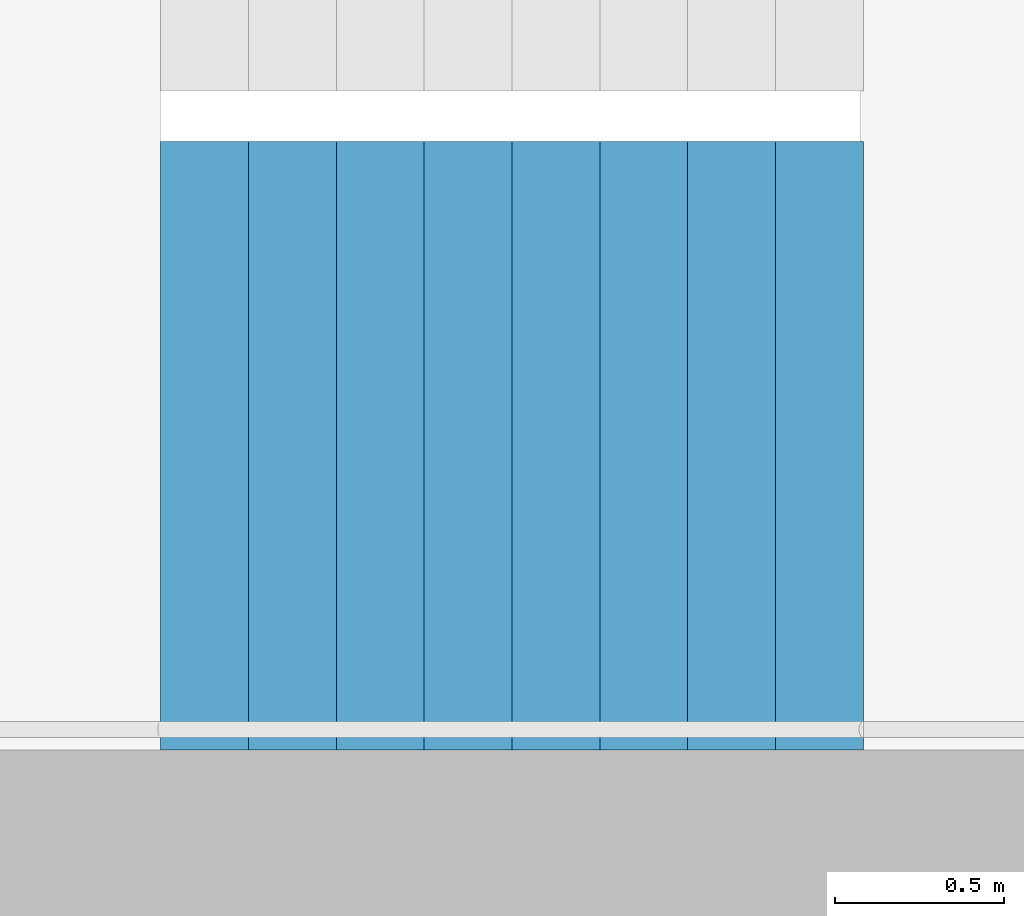
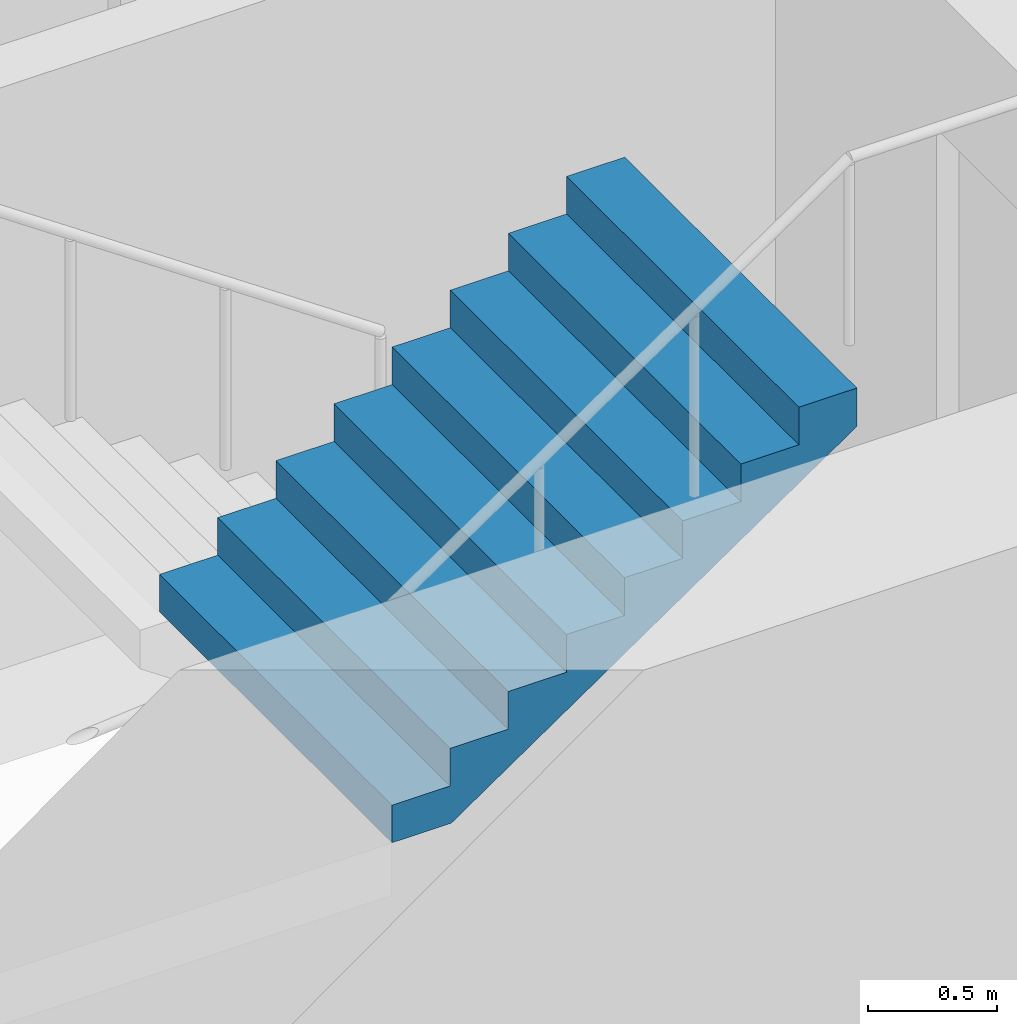
# One storey, part 19 of 32: 1 stair flight, 1 element without a shape of its own.
"""IFC4 building model written with IfcOpenShell, lengths in metres."""

import ifcopenshell
import ifcopenshell.guid

model = None  # the IFC model being written
_history = None  # IfcOwnerHistory: only IFC2X3 demands one
_inside = {}  # id of a spatial element -> (the spatial element, [elements in it])
_under = {}  # id of a project, library or spatial element -> (it, [spatial elements below it])
_declared = {}  # id of a project -> (the project, [libraries it declares])
_typed = {}  # id of a type object -> (the type object, [elements of that type])
_made_of = {}  # id of a material, layer set ... -> (it, [elements and type objects made of it])


def new_model(schema):
    """Start an empty IFC model of exactly this schema.

    Asked for "IFC4X3", IfcOpenShell would pick the latest addendum, in which some entities
    have other attributes; the version numbers below select the first issue.
    IFC2X3 requires an IfcOwnerHistory on every rooted entity: one is made here for all.
    """
    global model, _history
    if schema == "IFC4X3":
        model = ifcopenshell.file(schema_version=(4, 3, 0, 0))
    else:
        model = ifcopenshell.file(schema=schema)
    _inside.clear()
    _under.clear()
    _declared.clear()
    _typed.clear()
    _made_of.clear()
    _history = None
    if model.schema == "IFC2X3":
        org = make("IfcOrganization", Name="unknown")
        user = make(
            "IfcPersonAndOrganization",
            ThePerson=make("IfcPerson", FamilyName="unknown"),
            TheOrganization=org,
        )
        app = make(
            "IfcApplication",
            ApplicationDeveloper=org,
            Version="unknown",
            ApplicationFullName="unknown",
            ApplicationIdentifier="unknown",
        )
        _history = make(
            "IfcOwnerHistory",
            OwningUser=user,
            OwningApplication=app,
            ChangeAction="ADDED",
            CreationDate=0,
        )
    return model


def make(cls, **values):
    """One entity of the class cls with the attributes given. An attribute that is None is left unset."""
    return model.create_entity(
        cls, **{name: value for name, value in values.items() if value is not None}
    )


def rooted(cls, **values):
    """An entity with a GlobalId (a new one), such as an element, a storey or a relation."""
    return make(cls, GlobalId=ifcopenshell.guid.new(), OwnerHistory=_history, **values)


def si_unit(unit_type, name, prefix=None):
    """IfcSIUnit, for example si_unit("LENGTHUNIT", "METRE", prefix="MILLI")."""
    return make("IfcSIUnit", UnitType=unit_type, Prefix=prefix, Name=name)


def assignment(units):
    """IfcUnitAssignment: the units of a project."""
    return None if units is None else make("IfcUnitAssignment", Units=units)


def point(xyz):
    """IfcCartesianPoint."""
    return None if xyz is None else make("IfcCartesianPoint", Coordinates=xyz)


def direction(xyz):
    """IfcDirection."""
    return None if xyz is None else make("IfcDirection", DirectionRatios=xyz)


def frame(location, z_axis=None, x_axis=None):
    """IfcAxis2Placement3D, a coordinate frame: its origin and axes. An axis left out is left unset."""
    return make(
        "IfcAxis2Placement3D",
        Location=point(location),
        Axis=direction(z_axis),
        RefDirection=direction(x_axis),
    )


def origin():
    """The frame at (0, 0, 0) with its axes left unset."""
    return frame((0.0, 0.0, 0.0))


def place(relative_to, where):
    """IfcLocalPlacement: puts the frame where relative to a parent placement (None: the world)."""
    return make(
        "IfcLocalPlacement", PlacementRelTo=relative_to, RelativePlacement=where
    )


def context(
    kind, dimensions, precision=None, world=None, true_north=None, identifier=None
):
    """IfcGeometricRepresentationContext, for example the 3D "Model" context."""
    return make(
        "IfcGeometricRepresentationContext",
        ContextIdentifier=identifier,
        ContextType=kind,
        CoordinateSpaceDimension=dimensions,
        Precision=precision,
        WorldCoordinateSystem=world,
        TrueNorth=true_north,
    )


def subcontext(parent, identifier, kind, view, scale=None):
    """IfcGeometricRepresentationSubContext, for example "Body" below "Model"."""
    return make(
        "IfcGeometricRepresentationSubContext",
        ContextIdentifier=identifier,
        ContextType=kind,
        ParentContext=parent,
        TargetScale=scale,
        TargetView=view,
    )


def project(units=None, contexts=None):
    """IfcProject with its units and contexts."""
    return rooted(
        "IfcProject",
        Name="project",
        RepresentationContexts=contexts,
        UnitsInContext=assignment(units),
    )


def spatial(cls, under=None, at=None, **own):
    """A site, building, storey or space (cls), placed at a placement, below another one or the project."""
    s = rooted(cls, ObjectPlacement=at, **own)
    if under is not None:
        _under.setdefault(under.id(), (under, []))[1].append(s)
    return s


def point_list(points):
    """IfcCartesianPointList2D or 3D."""
    cls = (
        "IfcCartesianPointList2D" if len(points[0]) == 2 else "IfcCartesianPointList3D"
    )
    return make(cls, CoordList=points)


def triangles(points, corners, closed=None, point_numbers=None):
    """IfcTriangulatedFaceSet: each triangle names its three corners, points numbered from 1."""
    return make(
        "IfcTriangulatedFaceSet",
        Coordinates=point_list(points),
        Closed=closed,
        CoordIndex=corners,
        PnIndex=point_numbers,
    )


def shape(context_of_items, identifier, shape_type, items):
    """IfcShapeRepresentation: the items that make up one representation, for example the "Body"."""
    return make(
        "IfcShapeRepresentation",
        ContextOfItems=context_of_items,
        RepresentationIdentifier=identifier,
        RepresentationType=shape_type,
        Items=items,
    )


def material(Name=None, Category=None):
    """IfcMaterial."""
    return make("IfcMaterial", Name=Name, Category=Category)


def made_of(thing, what):
    """Note that an element or type object is made of a material, layer set ...; save() writes the relation."""
    if what is not None:
        _made_of.setdefault(what.id(), (what, []))[1].append(thing)
    return thing


def type_object(cls, material=None, **own):
    """A type object (cls), such as IfcWallType, which elements share."""
    return made_of(rooted(cls, **own), material)


def element(
    cls,
    number,
    at=None,
    inside=None,
    cuts=None,
    type_object=None,
    material=None,
    context=None,
    identifier="Body",
    shape_type=None,
    held_by="IfcProductDefinitionShape",
    body=None,
    shapes=None,
    **own,
):
    """One element of the class cls, such as IfcWall. Its Tag is "e" and its number.

    at: its placement. inside: the storey or other place that contains it. cuts: it is an
    opening in that element (IfcRelVoidsElement). A single representation is given by context,
    identifier, shape_type and body (its items); several are given by shapes. held_by: the class
    of the entity that holds the representations. save() writes the other relations.
    """
    e = rooted(cls, Tag="e%d" % number, ObjectPlacement=at, **own)
    if body is not None:
        shapes = [shape(context, identifier, shape_type, body)]
    if shapes is not None:
        e.Representation = make(held_by, Representations=shapes)
    if inside is not None:
        _inside.setdefault(inside.id(), (inside, []))[1].append(e)
    if cuts is not None:
        rooted(
            "IfcRelVoidsElement", RelatingBuildingElement=cuts, RelatedOpeningElement=e
        )
    if type_object is not None:
        _typed.setdefault(type_object.id(), (type_object, []))[1].append(e)
    return made_of(e, material)


def aggregate(whole, parts):
    """IfcRelAggregates: a whole, such as a stair, and the parts it consists of."""
    return rooted("IfcRelAggregates", RelatingObject=whole, RelatedObjects=parts)


def save(model, path):
    """Write the relations noted so far, then the file.

    IfcRelAggregates (storeys below a building ...), IfcRelContainedInSpatialStructure (elements
    in a storey), IfcRelDefinesByType, IfcRelAssociatesMaterial and IfcRelDeclares: one each for
    every whole, place, type object, material and project.
    """
    for whole, parts in _under.values():
        aggregate(whole, parts)
    for where, things in _inside.values():
        rooted(
            "IfcRelContainedInSpatialStructure",
            RelatedElements=things,
            RelatingStructure=where,
        )
    for kind, things in _typed.values():
        rooted("IfcRelDefinesByType", RelatedObjects=things, RelatingType=kind)
    for what, things in _made_of.values():
        rooted("IfcRelAssociatesMaterial", RelatedObjects=things, RelatingMaterial=what)
    for by, libraries in _declared.values():
        rooted("IfcRelDeclares", RelatingContext=by, RelatedDefinitions=libraries)
    model.write(path)


model = new_model("IFC4")

# Units and contexts
model_context = context("Model", 3, precision=1e-05, world=origin(), true_north=direction((0.0, 1.0)))
body_context = subcontext(model_context, "Body", "Model", "MODEL_VIEW")
ifc_project = project(units=[si_unit("LENGTHUNIT", "METRE"), si_unit("AREAUNIT", "SQUARE_METRE"), si_unit("VOLUMEUNIT", "CUBIC_METRE"), si_unit("PLANEANGLEUNIT", "RADIAN"), si_unit("MASSUNIT", "GRAM", prefix="KILO")], contexts=[model_context])

# Site, building, storey
site_placement = place(None, origin())
site = spatial("IfcSite", under=ifc_project, at=site_placement, CompositionType="ELEMENT")
building_placement = place(site_placement, origin())
building = spatial("IfcBuilding", under=site, at=building_placement, Name="Hakoniwa Tower and Hamabe Station Hall", CompositionType="ELEMENT")
storey_placement = place(building_placement, frame((0.0, 0.0, 150.199951171875)))
storey = spatial("IfcBuildingStorey", under=building, at=storey_placement, Name="L42", CompositionType="ELEMENT", Elevation=150.199951171875)

# Stair, stair flight
ifc_material_1 = material(Name="Concrete C40", Category="concrete")
stair_type = type_object("IfcStairType", Name="ESCAPE STAIR 1800", PredefinedType="HALF_TURN_STAIR", material=ifc_material_1)
stair_placement = place(storey_placement, origin())
stair = element("IfcStair", 1, at=stair_placement, inside=storey, type_object=stair_type, Name="Escape stair ST-2 L42", PredefinedType="HALF_TURN_STAIR")
ifc_material_2 = material(Name="Concrete C40", Category="concrete")
stair_flight_type = type_object("IfcStairFlightType", Name="STAIR FLIGHT 1800", PredefinedType="STRAIGHT", material=ifc_material_2)
stair_flight_placement = place(storey_placement, frame((-25.47998046875, -6.60009765625, 1.60009765625), z_axis=(0.0, 0.0, 1.0), x_axis=(1.0, 0.0, 0.0)))
stair_flight = element("IfcStairFlight", 2, at=stair_flight_placement, type_object=stair_flight_type, Name="ST-2 flight 2", NumberOfRisers=9, NumberOfTreads=8, PredefinedType="STRAIGHT", RiserHeight=0.177777778, TreadLength=0.26, context=body_context, shape_type="Tessellation", body=[
    triangles([(0.0, 0.89990234375, 0.0), (0.260009765625, 0.89990234375, 0.0), (0.265625, 0.89990234375, 0.0), (0.52001953125, 0.89990234375, 0.174072265625), (0.780029296875, 0.89990234375, 0.351806640625), (1.0400390625, 0.89990234375, 0.529541015625), (1.300048828125, 0.89990234375, 0.707275390625), (1.56005859375, 0.89990234375, 0.885009765625), (1.820068359375, 0.89990234375, 1.062744140625), (2.080078125, 0.89990234375, 1.24072265625), (2.080078125, 0.89990234375, 1.422119140625), (1.820068359375, 0.89990234375, 1.422119140625), (1.820068359375, 0.89990234375, 1.244384765625), (1.56005859375, 0.89990234375, 1.244384765625), (1.56005859375, 0.89990234375, 1.066650390625), (1.300048828125, 0.89990234375, 1.066650390625), (1.300048828125, 0.89990234375, 0.888916015625), (1.0400390625, 0.89990234375, 0.888916015625), (1.0400390625, 0.89990234375, 0.711181640625), (0.780029296875, 0.89990234375, 0.711181640625), (0.780029296875, 0.89990234375, 0.533447265625), (0.52001953125, 0.89990234375, 0.533447265625), (0.52001953125, 0.89990234375, 0.35546875), (0.265625, 0.89990234375, 0.35546875), (0.260009765625, 0.89990234375, 0.35546875), (0.260009765625, 0.89990234375, 0.177734375), (0.0, 0.89990234375, 0.177734375), (0.0, 0.06005859375, 0.0), (0.260009765625, 0.06005859375, 0.0), (0.265625, 0.06005859375, 0.0), (0.52001953125, 0.06005859375, 0.174072265625), (0.780029296875, 0.06005859375, 0.351806640625), (1.0400390625, 0.06005859375, 0.529541015625), (1.300048828125, 0.06005859375, 0.707275390625), (1.56005859375, 0.06005859375, 0.885009765625), (1.820068359375, 0.06005859375, 1.062744140625), (2.080078125, 0.06005859375, 1.24072265625), (2.080078125, 0.06005859375, 1.422119140625), (1.820068359375, 0.06005859375, 1.422119140625), (1.820068359375, 0.06005859375, 1.244384765625), (1.56005859375, 0.06005859375, 1.244384765625), (1.56005859375, 0.06005859375, 1.066650390625), (1.300048828125, 0.06005859375, 1.066650390625), (1.300048828125, 0.06005859375, 0.888916015625), (1.0400390625, 0.06005859375, 0.888916015625), (1.0400390625, 0.06005859375, 0.711181640625), (0.780029296875, 0.06005859375, 0.711181640625), (0.780029296875, 0.06005859375, 0.533447265625), (0.52001953125, 0.06005859375, 0.533447265625), (0.52001953125, 0.06005859375, 0.35546875), (0.265625, 0.06005859375, 0.35546875), (0.260009765625, 0.06005859375, 0.35546875), (0.260009765625, 0.06005859375, 0.177734375), (0.0, 0.06005859375, 0.177734375), (0.0, 0.04296875, 0.0), (0.260009765625, 0.04296875, 0.0), (0.265625, 0.04296875, 0.0), (0.52001953125, 0.04296875, 0.174072265625), (0.780029296875, 0.04296875, 0.351806640625), (1.0400390625, 0.04296875, 0.529541015625), (1.300048828125, 0.04296875, 0.707275390625), (1.56005859375, 0.04296875, 0.885009765625), (1.820068359375, 0.04296875, 1.062744140625), (2.080078125, 0.04296875, 1.24072265625), (2.080078125, 0.04296875, 1.422119140625), (1.820068359375, 0.04296875, 1.422119140625), (1.820068359375, 0.04296875, 1.244384765625), (1.56005859375, 0.04296875, 1.244384765625), (1.56005859375, 0.04296875, 1.066650390625), (1.300048828125, 0.04296875, 1.066650390625), (1.300048828125, 0.04296875, 0.888916015625), (1.0400390625, 0.04296875, 0.888916015625), (1.0400390625, 0.04296875, 0.711181640625), (0.780029296875, 0.04296875, 0.711181640625), (0.780029296875, 0.04296875, 0.533447265625), (0.52001953125, 0.04296875, 0.533447265625), (0.52001953125, 0.04296875, 0.35546875), (0.265625, 0.04296875, 0.35546875), (0.260009765625, 0.04296875, 0.35546875), (0.260009765625, 0.04296875, 0.177734375), (0.0, 0.04296875, 0.177734375), (0.0, 0.025634765625, 0.0), (0.260009765625, 0.025634765625, 0.0), (0.265625, 0.025634765625, 0.0), (0.52001953125, 0.025634765625, 0.174072265625), (0.780029296875, 0.025634765625, 0.351806640625), (1.0400390625, 0.025634765625, 0.529541015625), (1.300048828125, 0.025634765625, 0.707275390625), (1.56005859375, 0.025634765625, 0.885009765625), (1.820068359375, 0.025634765625, 1.062744140625), (2.080078125, 0.025634765625, 1.24072265625), (2.080078125, 0.025634765625, 1.422119140625), (1.820068359375, 0.025634765625, 1.422119140625), (1.820068359375, 0.025634765625, 1.244384765625), (1.56005859375, 0.025634765625, 1.244384765625), (1.56005859375, 0.025634765625, 1.066650390625), (1.300048828125, 0.025634765625, 1.066650390625), (1.300048828125, 0.025634765625, 0.888916015625), (1.0400390625, 0.025634765625, 0.888916015625), (1.0400390625, 0.025634765625, 0.711181640625), (0.780029296875, 0.025634765625, 0.711181640625), (0.780029296875, 0.025634765625, 0.533447265625), (0.52001953125, 0.025634765625, 0.533447265625), (0.52001953125, 0.025634765625, 0.35546875), (0.265625, 0.025634765625, 0.35546875), (0.260009765625, 0.025634765625, 0.35546875), (0.260009765625, 0.025634765625, 0.177734375), (0.0, 0.025634765625, 0.177734375), (0.0, 0.008544921875, 0.0), (0.260009765625, 0.008544921875, 0.0), (0.265625, 0.008544921875, 0.0), (0.52001953125, 0.008544921875, 0.174072265625), (0.780029296875, 0.008544921875, 0.351806640625), (1.0400390625, 0.008544921875, 0.529541015625), (1.300048828125, 0.008544921875, 0.707275390625), (1.56005859375, 0.008544921875, 0.885009765625), (1.820068359375, 0.008544921875, 1.062744140625), (2.080078125, 0.008544921875, 1.24072265625), (2.080078125, 0.008544921875, 1.422119140625), (1.820068359375, 0.008544921875, 1.422119140625), (1.820068359375, 0.008544921875, 1.244384765625), (1.56005859375, 0.008544921875, 1.244384765625), (1.56005859375, 0.008544921875, 1.066650390625), (1.300048828125, 0.008544921875, 1.066650390625), (1.300048828125, 0.008544921875, 0.888916015625), (1.0400390625, 0.008544921875, 0.888916015625), (1.0400390625, 0.008544921875, 0.711181640625), (0.780029296875, 0.008544921875, 0.711181640625), (0.780029296875, 0.008544921875, 0.533447265625), (0.52001953125, 0.008544921875, 0.533447265625), (0.52001953125, 0.008544921875, 0.35546875), (0.265625, 0.008544921875, 0.35546875), (0.260009765625, 0.008544921875, 0.35546875), (0.260009765625, 0.008544921875, 0.177734375), (0.0, 0.008544921875, 0.177734375), (0.0, -0.008544921875, 0.0), (0.260009765625, -0.008544921875, 0.0), (0.265625, -0.008544921875, 0.0), (0.52001953125, -0.008544921875, 0.174072265625), (0.780029296875, -0.008544921875, 0.351806640625), (1.0400390625, -0.008544921875, 0.529541015625), (1.300048828125, -0.008544921875, 0.707275390625), (1.56005859375, -0.008544921875, 0.885009765625), (1.820068359375, -0.008544921875, 1.062744140625), (2.080078125, -0.008544921875, 1.24072265625), (2.080078125, -0.008544921875, 1.422119140625), (1.820068359375, -0.008544921875, 1.422119140625), (1.820068359375, -0.008544921875, 1.244384765625), (1.56005859375, -0.008544921875, 1.244384765625), (1.56005859375, -0.008544921875, 1.066650390625), (1.300048828125, -0.008544921875, 1.066650390625), (1.300048828125, -0.008544921875, 0.888916015625), (1.0400390625, -0.008544921875, 0.888916015625), (1.0400390625, -0.008544921875, 0.711181640625), (0.780029296875, -0.008544921875, 0.711181640625), (0.780029296875, -0.008544921875, 0.533447265625), (0.52001953125, -0.008544921875, 0.533447265625), (0.52001953125, -0.008544921875, 0.35546875), (0.265625, -0.008544921875, 0.35546875), (0.260009765625, -0.008544921875, 0.35546875), (0.260009765625, -0.008544921875, 0.177734375), (0.0, -0.008544921875, 0.177734375), (0.0, -0.025634765625, 0.0), (0.260009765625, -0.025634765625, 0.0), (0.265625, -0.025634765625, 0.0), (0.52001953125, -0.025634765625, 0.174072265625), (0.780029296875, -0.025634765625, 0.351806640625), (1.0400390625, -0.025634765625, 0.529541015625), (1.300048828125, -0.025634765625, 0.707275390625), (1.56005859375, -0.025634765625, 0.885009765625), (1.820068359375, -0.025634765625, 1.062744140625), (2.080078125, -0.025634765625, 1.24072265625), (2.080078125, -0.025634765625, 1.422119140625), (1.820068359375, -0.025634765625, 1.422119140625), (1.820068359375, -0.025634765625, 1.244384765625), (1.56005859375, -0.025634765625, 1.244384765625), (1.56005859375, -0.025634765625, 1.066650390625), (1.300048828125, -0.025634765625, 1.066650390625), (1.300048828125, -0.025634765625, 0.888916015625), (1.0400390625, -0.025634765625, 0.888916015625), (1.0400390625, -0.025634765625, 0.711181640625), (0.780029296875, -0.025634765625, 0.711181640625), (0.780029296875, -0.025634765625, 0.533447265625), (0.52001953125, -0.025634765625, 0.533447265625), (0.52001953125, -0.025634765625, 0.35546875), (0.265625, -0.025634765625, 0.35546875), (0.260009765625, -0.025634765625, 0.35546875), (0.260009765625, -0.025634765625, 0.177734375), (0.0, -0.025634765625, 0.177734375), (0.0, -0.04296875, 0.0), (0.260009765625, -0.04296875, 0.0), (0.265625, -0.04296875, 0.0), (0.52001953125, -0.04296875, 0.174072265625), (0.780029296875, -0.04296875, 0.351806640625), (1.0400390625, -0.04296875, 0.529541015625), (1.300048828125, -0.04296875, 0.707275390625), (1.56005859375, -0.04296875, 0.885009765625), (1.820068359375, -0.04296875, 1.062744140625), (2.080078125, -0.04296875, 1.24072265625), (2.080078125, -0.04296875, 1.422119140625), (1.820068359375, -0.04296875, 1.422119140625), (1.820068359375, -0.04296875, 1.244384765625), (1.56005859375, -0.04296875, 1.244384765625), (1.56005859375, -0.04296875, 1.066650390625), (1.300048828125, -0.04296875, 1.066650390625), (1.300048828125, -0.04296875, 0.888916015625), (1.0400390625, -0.04296875, 0.888916015625), (1.0400390625, -0.04296875, 0.711181640625), (0.780029296875, -0.04296875, 0.711181640625), (0.780029296875, -0.04296875, 0.533447265625), (0.52001953125, -0.04296875, 0.533447265625), (0.52001953125, -0.04296875, 0.35546875), (0.265625, -0.04296875, 0.35546875), (0.260009765625, -0.04296875, 0.35546875), (0.260009765625, -0.04296875, 0.177734375), (0.0, -0.04296875, 0.177734375), (0.0, -0.06005859375, 0.0), (0.260009765625, -0.06005859375, 0.0), (0.265625, -0.06005859375, 0.0), (0.52001953125, -0.06005859375, 0.174072265625), (0.780029296875, -0.06005859375, 0.351806640625), (1.0400390625, -0.06005859375, 0.529541015625), (1.300048828125, -0.06005859375, 0.707275390625), (1.56005859375, -0.06005859375, 0.885009765625), (1.820068359375, -0.06005859375, 1.062744140625), (2.080078125, -0.06005859375, 1.24072265625), (2.080078125, -0.06005859375, 1.422119140625), (1.820068359375, -0.06005859375, 1.422119140625), (1.820068359375, -0.06005859375, 1.244384765625), (1.56005859375, -0.06005859375, 1.244384765625), (1.56005859375, -0.06005859375, 1.066650390625), (1.300048828125, -0.06005859375, 1.066650390625), (1.300048828125, -0.06005859375, 0.888916015625), (1.0400390625, -0.06005859375, 0.888916015625), (1.0400390625, -0.06005859375, 0.711181640625), (0.780029296875, -0.06005859375, 0.711181640625), (0.780029296875, -0.06005859375, 0.533447265625), (0.52001953125, -0.06005859375, 0.533447265625), (0.52001953125, -0.06005859375, 0.35546875), (0.265625, -0.06005859375, 0.35546875), (0.260009765625, -0.06005859375, 0.35546875), (0.260009765625, -0.06005859375, 0.177734375), (0.0, -0.06005859375, 0.177734375), (0.0, -0.89990234375, 0.0), (0.260009765625, -0.89990234375, 0.0), (0.265625, -0.89990234375, 0.0), (0.52001953125, -0.89990234375, 0.174072265625), (0.780029296875, -0.89990234375, 0.351806640625), (1.0400390625, -0.89990234375, 0.529541015625), (1.300048828125, -0.89990234375, 0.707275390625), (1.56005859375, -0.89990234375, 0.885009765625), (1.820068359375, -0.89990234375, 1.062744140625), (2.080078125, -0.89990234375, 1.24072265625), (2.080078125, -0.89990234375, 1.422119140625), (1.820068359375, -0.89990234375, 1.422119140625), (1.820068359375, -0.89990234375, 1.244384765625), (1.56005859375, -0.89990234375, 1.244384765625), (1.56005859375, -0.89990234375, 1.066650390625), (1.300048828125, -0.89990234375, 1.066650390625), (1.300048828125, -0.89990234375, 0.888916015625), (1.0400390625, -0.89990234375, 0.888916015625), (1.0400390625, -0.89990234375, 0.711181640625), (0.780029296875, -0.89990234375, 0.711181640625), (0.780029296875, -0.89990234375, 0.533447265625), (0.52001953125, -0.89990234375, 0.533447265625), (0.52001953125, -0.89990234375, 0.35546875), (0.265625, -0.89990234375, 0.35546875), (0.260009765625, -0.89990234375, 0.35546875), (0.260009765625, -0.89990234375, 0.177734375), (0.0, -0.89990234375, 0.177734375)], [[2, 27, 26], [245, 269, 270], [2, 1, 27], [245, 270, 244], [3, 25, 24], [246, 267, 268], [3, 26, 25], [246, 268, 269], [3, 2, 26], [246, 269, 245], [4, 24, 23], [247, 266, 267], [4, 3, 24], [247, 267, 246], [5, 22, 21], [248, 264, 265], [5, 23, 22], [248, 265, 266], [5, 4, 23], [248, 266, 247], [6, 20, 19], [249, 262, 263], [6, 21, 20], [249, 263, 264], [6, 5, 21], [249, 264, 248], [7, 18, 17], [250, 260, 261], [7, 19, 18], [250, 261, 262], [7, 6, 19], [250, 262, 249], [8, 16, 15], [251, 258, 259], [8, 17, 16], [251, 259, 260], [8, 7, 17], [251, 260, 250], [9, 14, 13], [252, 256, 257], [9, 15, 14], [252, 257, 258], [9, 8, 15], [252, 258, 251], [10, 12, 11], [253, 254, 255], [10, 13, 12], [253, 255, 256], [10, 9, 13], [253, 256, 252], [1, 2, 29], [1, 29, 28], [28, 29, 56], [28, 56, 55], [55, 56, 83], [55, 83, 82], [82, 83, 110], [82, 110, 109], [109, 110, 137], [109, 137, 136], [136, 137, 164], [136, 164, 163], [163, 164, 191], [163, 191, 190], [190, 191, 218], [190, 218, 217], [217, 218, 245], [217, 245, 244], [2, 3, 30], [2, 30, 29], [29, 30, 57], [29, 57, 56], [56, 57, 84], [56, 84, 83], [83, 84, 111], [83, 111, 110], [110, 111, 138], [110, 138, 137], [137, 138, 165], [137, 165, 164], [164, 165, 192], [164, 192, 191], [191, 192, 219], [191, 219, 218], [218, 219, 246], [218, 246, 245], [3, 4, 31], [3, 31, 30], [30, 31, 58], [30, 58, 57], [57, 58, 85], [57, 85, 84], [84, 85, 112], [84, 112, 111], [111, 112, 139], [111, 139, 138], [138, 139, 166], [138, 166, 165], [165, 166, 193], [165, 193, 192], [192, 193, 220], [192, 220, 219], [219, 220, 247], [219, 247, 246], [4, 5, 32], [4, 32, 31], [31, 32, 59], [31, 59, 58], [58, 59, 86], [58, 86, 85], [85, 86, 113], [85, 113, 112], [112, 113, 140], [112, 140, 139], [139, 140, 167], [139, 167, 166], [166, 167, 194], [166, 194, 193], [193, 194, 221], [193, 221, 220], [220, 221, 248], [220, 248, 247], [5, 6, 33], [5, 33, 32], [32, 33, 60], [32, 60, 59], [59, 60, 87], [59, 87, 86], [86, 87, 114], [86, 114, 113], [113, 114, 141], [113, 141, 140], [140, 141, 168], [140, 168, 167], [167, 168, 195], [167, 195, 194], [194, 195, 222], [194, 222, 221], [221, 222, 249], [221, 249, 248], [6, 7, 34], [6, 34, 33], [33, 34, 61], [33, 61, 60], [60, 61, 88], [60, 88, 87], [87, 88, 115], [87, 115, 114], [114, 115, 142], [114, 142, 141], [141, 142, 169], [141, 169, 168], [168, 169, 196], [168, 196, 195], [195, 196, 223], [195, 223, 222], [222, 223, 250], [222, 250, 249], [7, 8, 35], [7, 35, 34], [34, 35, 62], [34, 62, 61], [61, 62, 89], [61, 89, 88], [88, 89, 116], [88, 116, 115], [115, 116, 143], [115, 143, 142], [142, 143, 170], [142, 170, 169], [169, 170, 197], [169, 197, 196], [196, 197, 224], [196, 224, 223], [223, 224, 251], [223, 251, 250], [8, 9, 36], [8, 36, 35], [35, 36, 63], [35, 63, 62], [62, 63, 90], [62, 90, 89], [89, 90, 117], [89, 117, 116], [116, 117, 144], [116, 144, 143], [143, 144, 171], [143, 171, 170], [170, 171, 198], [170, 198, 197], [197, 198, 225], [197, 225, 224], [224, 225, 252], [224, 252, 251], [9, 10, 37], [9, 37, 36], [36, 37, 64], [36, 64, 63], [63, 64, 91], [63, 91, 90], [90, 91, 118], [90, 118, 117], [117, 118, 145], [117, 145, 144], [144, 145, 172], [144, 172, 171], [171, 172, 199], [171, 199, 198], [198, 199, 226], [198, 226, 225], [225, 226, 253], [225, 253, 252], [10, 11, 38], [10, 38, 37], [37, 38, 65], [37, 65, 64], [64, 65, 92], [64, 92, 91], [91, 92, 119], [91, 119, 118], [118, 119, 146], [118, 146, 145], [145, 146, 173], [145, 173, 172], [172, 173, 200], [172, 200, 199], [199, 200, 227], [199, 227, 226], [226, 227, 254], [226, 254, 253], [11, 12, 39], [11, 39, 38], [38, 39, 66], [38, 66, 65], [65, 66, 93], [65, 93, 92], [92, 93, 120], [92, 120, 119], [119, 120, 147], [119, 147, 146], [146, 147, 174], [146, 174, 173], [173, 174, 201], [173, 201, 200], [200, 201, 228], [200, 228, 227], [227, 228, 255], [227, 255, 254], [12, 13, 40], [12, 40, 39], [39, 40, 67], [39, 67, 66], [66, 67, 94], [66, 94, 93], [93, 94, 121], [93, 121, 120], [120, 121, 148], [120, 148, 147], [147, 148, 175], [147, 175, 174], [174, 175, 202], [174, 202, 201], [201, 202, 229], [201, 229, 228], [228, 229, 256], [228, 256, 255], [13, 14, 41], [13, 41, 40], [40, 41, 68], [40, 68, 67], [67, 68, 95], [67, 95, 94], [94, 95, 122], [94, 122, 121], [121, 122, 149], [121, 149, 148], [148, 149, 176], [148, 176, 175], [175, 176, 203], [175, 203, 202], [202, 203, 230], [202, 230, 229], [229, 230, 257], [229, 257, 256], [14, 15, 42], [14, 42, 41], [41, 42, 69], [41, 69, 68], [68, 69, 96], [68, 96, 95], [95, 96, 123], [95, 123, 122], [122, 123, 150], [122, 150, 149], [149, 150, 177], [149, 177, 176], [176, 177, 204], [176, 204, 203], [203, 204, 231], [203, 231, 230], [230, 231, 258], [230, 258, 257], [15, 16, 43], [15, 43, 42], [42, 43, 70], [42, 70, 69], [69, 70, 97], [69, 97, 96], [96, 97, 124], [96, 124, 123], [123, 124, 151], [123, 151, 150], [150, 151, 178], [150, 178, 177], [177, 178, 205], [177, 205, 204], [204, 205, 232], [204, 232, 231], [231, 232, 259], [231, 259, 258], [16, 17, 44], [16, 44, 43], [43, 44, 71], [43, 71, 70], [70, 71, 98], [70, 98, 97], [97, 98, 125], [97, 125, 124], [124, 125, 152], [124, 152, 151], [151, 152, 179], [151, 179, 178], [178, 179, 206], [178, 206, 205], [205, 206, 233], [205, 233, 232], [232, 233, 260], [232, 260, 259], [17, 18, 45], [17, 45, 44], [44, 45, 72], [44, 72, 71], [71, 72, 99], [71, 99, 98], [98, 99, 126], [98, 126, 125], [125, 126, 153], [125, 153, 152], [152, 153, 180], [152, 180, 179], [179, 180, 207], [179, 207, 206], [206, 207, 234], [206, 234, 233], [233, 234, 261], [233, 261, 260], [18, 19, 46], [18, 46, 45], [45, 46, 73], [45, 73, 72], [72, 73, 100], [72, 100, 99], [99, 100, 127], [99, 127, 126], [126, 127, 154], [126, 154, 153], [153, 154, 181], [153, 181, 180], [180, 181, 208], [180, 208, 207], [207, 208, 235], [207, 235, 234], [234, 235, 262], [234, 262, 261], [19, 20, 47], [19, 47, 46], [46, 47, 74], [46, 74, 73], [73, 74, 101], [73, 101, 100], [100, 101, 128], [100, 128, 127], [127, 128, 155], [127, 155, 154], [154, 155, 182], [154, 182, 181], [181, 182, 209], [181, 209, 208], [208, 209, 236], [208, 236, 235], [235, 236, 263], [235, 263, 262], [20, 21, 48], [20, 48, 47], [47, 48, 75], [47, 75, 74], [74, 75, 102], [74, 102, 101], [101, 102, 129], [101, 129, 128], [128, 129, 156], [128, 156, 155], [155, 156, 183], [155, 183, 182], [182, 183, 210], [182, 210, 209], [209, 210, 237], [209, 237, 236], [236, 237, 264], [236, 264, 263], [21, 22, 49], [21, 49, 48], [48, 49, 76], [48, 76, 75], [75, 76, 103], [75, 103, 102], [102, 103, 130], [102, 130, 129], [129, 130, 157], [129, 157, 156], [156, 157, 184], [156, 184, 183], [183, 184, 211], [183, 211, 210], [210, 211, 238], [210, 238, 237], [237, 238, 265], [237, 265, 264], [22, 23, 50], [22, 50, 49], [49, 50, 77], [49, 77, 76], [76, 77, 104], [76, 104, 103], [103, 104, 131], [103, 131, 130], [130, 131, 158], [130, 158, 157], [157, 158, 185], [157, 185, 184], [184, 185, 212], [184, 212, 211], [211, 212, 239], [211, 239, 238], [238, 239, 266], [238, 266, 265], [23, 24, 51], [23, 51, 50], [50, 51, 78], [50, 78, 77], [77, 78, 105], [77, 105, 104], [104, 105, 132], [104, 132, 131], [131, 132, 159], [131, 159, 158], [158, 159, 186], [158, 186, 185], [185, 186, 213], [185, 213, 212], [212, 213, 240], [212, 240, 239], [239, 240, 267], [239, 267, 266], [24, 25, 52], [24, 52, 51], [51, 52, 79], [51, 79, 78], [78, 79, 106], [78, 106, 105], [105, 106, 133], [105, 133, 132], [132, 133, 160], [132, 160, 159], [159, 160, 187], [159, 187, 186], [186, 187, 214], [186, 214, 213], [213, 214, 241], [213, 241, 240], [240, 241, 268], [240, 268, 267], [25, 26, 53], [25, 53, 52], [52, 53, 80], [52, 80, 79], [79, 80, 107], [79, 107, 106], [106, 107, 134], [106, 134, 133], [133, 134, 161], [133, 161, 160], [160, 161, 188], [160, 188, 187], [187, 188, 215], [187, 215, 214], [214, 215, 242], [214, 242, 241], [241, 242, 269], [241, 269, 268], [26, 27, 54], [26, 54, 53], [53, 54, 81], [53, 81, 80], [80, 81, 108], [80, 108, 107], [107, 108, 135], [107, 135, 134], [134, 135, 162], [134, 162, 161], [161, 162, 189], [161, 189, 188], [188, 189, 216], [188, 216, 215], [215, 216, 243], [215, 243, 242], [242, 243, 270], [242, 270, 269], [27, 1, 28], [27, 28, 54], [54, 28, 55], [54, 55, 81], [81, 55, 82], [81, 82, 108], [108, 82, 109], [108, 109, 135], [135, 109, 136], [135, 136, 162], [162, 136, 163], [162, 163, 189], [189, 163, 190], [189, 190, 216], [216, 190, 217], [216, 217, 243], [243, 217, 244], [243, 244, 270]], closed=True),
])
aggregate(stair, [stair_flight])

save(model, "model.ifc")
